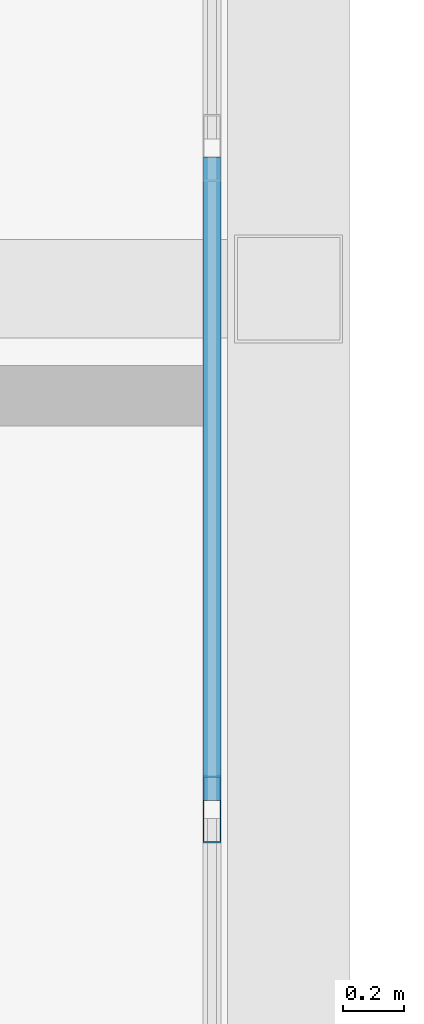
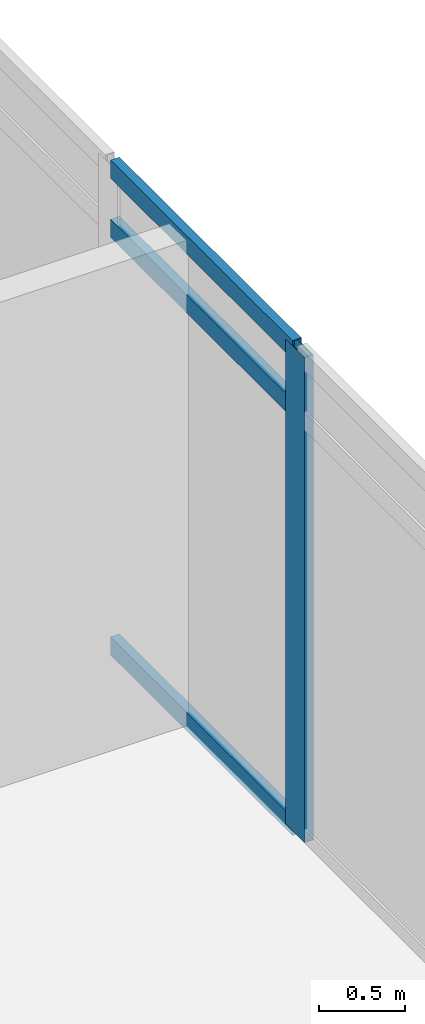
# One storey, part 10 of 34: 4 members, 1 element without a shape of its own.
"""IFC4 building model written with IfcOpenShell, lengths in metres."""

from ifc_helpers import new_model, si_unit, direction, frame, origin, origin_2d, place, context, subcontext, project, spatial, hollow_rectangle, extrude, material, material_profile, profile_set, type_object, element, aggregate, save


model = new_model("IFC4")

# Units and contexts
model_context = context("Model", 3, precision=1e-05, world=origin(), true_north=direction((0.0, 1.0)))
body_context = subcontext(model_context, "Body", "Model", "MODEL_VIEW")
ifc_project = project(units=[si_unit("LENGTHUNIT", "METRE"), si_unit("AREAUNIT", "SQUARE_METRE"), si_unit("VOLUMEUNIT", "CUBIC_METRE"), si_unit("PLANEANGLEUNIT", "RADIAN"), si_unit("MASSUNIT", "GRAM", prefix="KILO")], contexts=[model_context])

# Site, building, storey
site_placement = place(None, origin())
site = spatial("IfcSite", under=ifc_project, at=site_placement, CompositionType="ELEMENT")
building_placement = place(site_placement, origin())
building = spatial("IfcBuilding", under=site, at=building_placement, Name="Ostrander Bayou Hotel Tower", CompositionType="ELEMENT")
storey_placement = place(building_placement, frame((0.0, 0.0, 222.0)))
storey = spatial("IfcBuildingStorey", under=building, at=storey_placement, Name="L55", CompositionType="ELEMENT", Elevation=222.0)

# Curtain wall, members
ifc_material_1 = material(Name="Aluminium and clear glass", Category="aluminium")
curtain_wall_type = type_object("IfcCurtainWallType", Name="CW-BAR glazed wall", PredefinedType="NOTDEFINED", material=ifc_material_1)
curtain_wall_placement = place(storey_placement, origin())
curtain_wall = element("IfcCurtainWall", 1, at=curtain_wall_placement, inside=storey, type_object=curtain_wall_type, Name="CW-BAR L55:SB5S:W", PredefinedType="NOTDEFINED")
ifc_material_2 = material(Name="Aluminium", Category="aluminium")
ifc_material_profile_1 = material_profile(ifc_material_2, hollow_rectangle(XDim=0.06005859375, YDim=0.219970703125, WallThickness=0.00390625, at=origin_2d()))
ifc_profile_set_1 = profile_set([ifc_material_profile_1], Name="Aluminium")
member_type_1 = type_object("IfcMemberType", Name="CW-BR mullion 60 x 220 mm", PredefinedType="MULLION", material=ifc_profile_set_1)
member_1_placement = place(storey_placement, frame((10.51220703125, -22.8623046875, 0.0), z_axis=(0.0, 0.0, 1.0), x_axis=(1.0, 0.0, 0.0)))
member_1 = element("IfcMember", 2, at=member_1_placement, type_object=member_type_1, Name="CW-BAR mullion 7", PredefinedType="MULLION", context=body_context, shape_type="SweptSolid", body=[
    extrude(hollow_rectangle(XDim=0.06005859375, YDim=0.219970703125, WallThickness=0.00390625, at=origin_2d()), origin(), (0.0, 0.0, 1.0), 3.449951171875),
])
ifc_material_3 = material(Name="Aluminium", Category="aluminium")
ifc_material_profile_2 = material_profile(ifc_material_3, hollow_rectangle(XDim=0.06005859375, YDim=0.1298828125, WallThickness=0.00390625, at=origin_2d()))
ifc_profile_set_2 = profile_set([ifc_material_profile_2], Name="Aluminium")
member_type_2 = type_object("IfcMemberType", Name="CW-BR transom 60 x 130 mm", PredefinedType="USERDEFINED", material=ifc_profile_set_2)
member_2_placement = place(storey_placement, frame((10.51220703125, -20.7138671875, 0.030029296875), z_axis=(0.0, -1.0, 0.0), x_axis=(1.0, 0.0, 0.0)))
member_2 = element("IfcMember", 3, at=member_2_placement, type_object=member_type_2, Name="CW-BAR transom 6.1", ObjectType="TRANSOM", PredefinedType="USERDEFINED", context=body_context, shape_type="SweptSolid", body=[
    extrude(hollow_rectangle(XDim=0.06005859375, YDim=0.1298828125, WallThickness=0.00390625, at=origin_2d()), origin(), (0.0, 0.0, 1.0), 2.118408203125),
])
member_3_placement = place(storey_placement, frame((10.51220703125, -20.7138671875, 3.0), z_axis=(0.0, -1.0, 0.0), x_axis=(1.0, 0.0, 0.0)))
member_3 = element("IfcMember", 4, at=member_3_placement, type_object=member_type_2, Name="CW-BAR transom 6.2", ObjectType="TRANSOM", PredefinedType="USERDEFINED", context=body_context, shape_type="SweptSolid", body=[
    extrude(hollow_rectangle(XDim=0.06005859375, YDim=0.1298828125, WallThickness=0.00390625, at=origin_2d()), origin(), (0.0, 0.0, 1.0), 2.118408203125),
])
member_4_placement = place(storey_placement, frame((10.51220703125, -20.7138671875, 3.419921875), z_axis=(0.0, -1.0, 0.0), x_axis=(1.0, 0.0, 0.0)))
member_4 = element("IfcMember", 5, at=member_4_placement, type_object=member_type_2, Name="CW-BAR transom 6.3", ObjectType="TRANSOM", PredefinedType="USERDEFINED", context=body_context, shape_type="SweptSolid", body=[
    extrude(hollow_rectangle(XDim=0.06005859375, YDim=0.1298828125, WallThickness=0.00390625, at=origin_2d()), origin(), (0.0, 0.0, 1.0), 2.118408203125),
])
aggregate(curtain_wall, [member_1, member_2, member_3, member_4])

save(model, "model.ifc")
